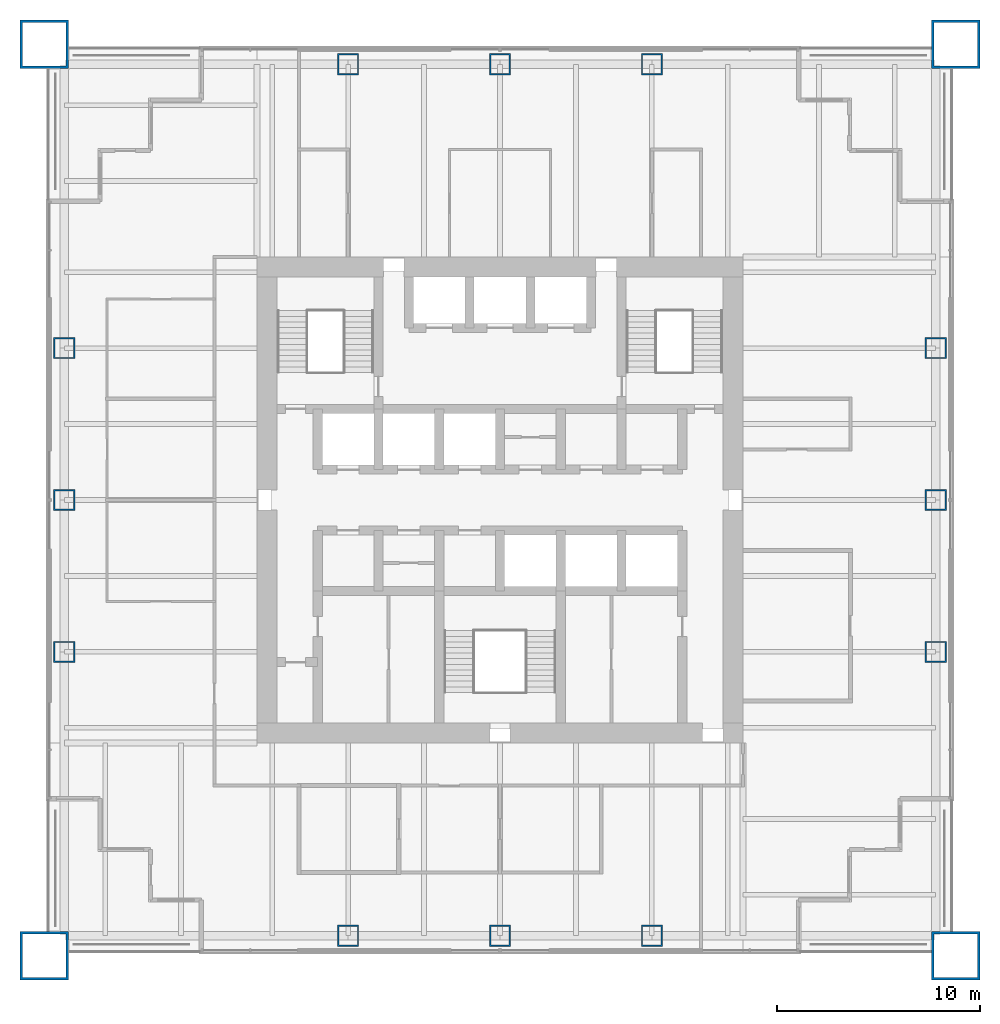
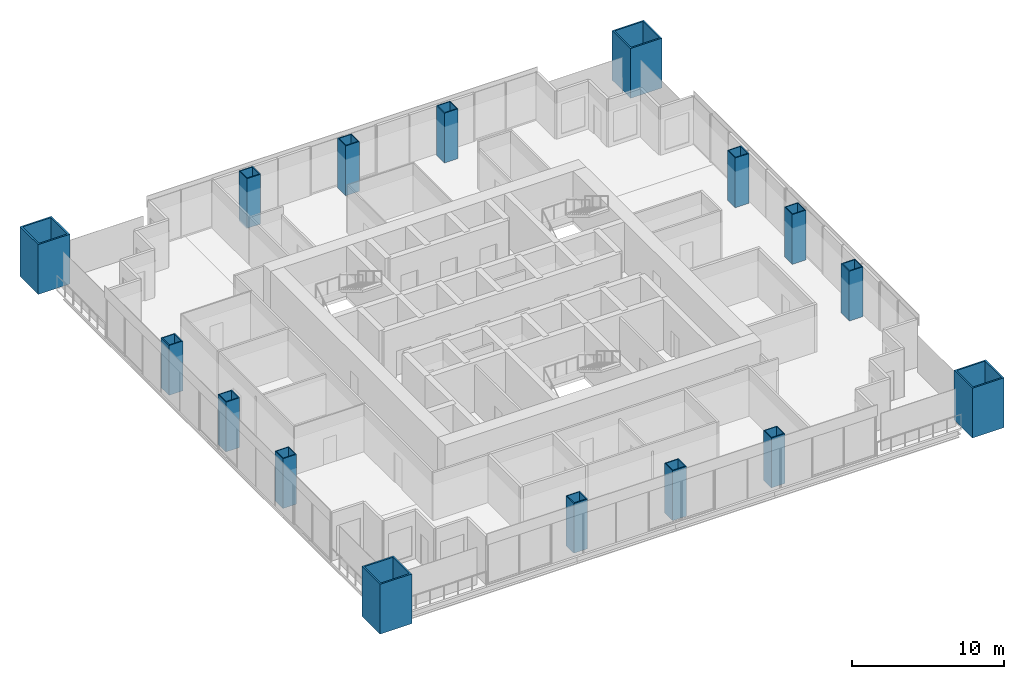
# One storey, part 1 of 13: 16 columns.
"""IFC4 building model written with IfcOpenShell, lengths in metres."""

from ifc_helpers import new_model, si_unit, direction, frame, origin, origin_2d, place, context, subcontext, project, spatial, hollow_rectangle, extrude, material, material_profile, profile_set, type_object, element, save


model = new_model("IFC4")

# Units and contexts
model_context = context("Model", 3, precision=1e-05, world=origin(), true_north=direction((0.0, 1.0)))
body_context = subcontext(model_context, "Body", "Model", "MODEL_VIEW")
ifc_project = project(units=[si_unit("LENGTHUNIT", "METRE"), si_unit("AREAUNIT", "SQUARE_METRE"), si_unit("VOLUMEUNIT", "CUBIC_METRE"), si_unit("PLANEANGLEUNIT", "RADIAN"), si_unit("MASSUNIT", "GRAM", prefix="KILO")], contexts=[model_context])

# Site, building, storey
site_placement = place(None, origin())
site = spatial("IfcSite", under=ifc_project, at=site_placement, CompositionType="ELEMENT")
building_placement = place(site_placement, origin())
building = spatial("IfcBuilding", under=site, at=building_placement, Name="Tarangal Relay Tower", CompositionType="ELEMENT")
storey_placement = place(building_placement, frame((0.0, 0.0, 237.89990234375)))
storey = spatial("IfcBuildingStorey", under=building, at=storey_placement, Name="L51", CompositionType="ELEMENT", Elevation=237.89990234375)

# Columns
ifc_material_1 = material(Name="Steel ASTM A572 Grade 42", Category="steel")
ifc_material_profile_1 = material_profile(ifc_material_1, hollow_rectangle(XDim=2.39990234375, YDim=2.39990234375, WallThickness=0.1201171875, at=origin_2d()), Name="BOX2400X2400X120")
ifc_profile_set_1 = profile_set([ifc_material_profile_1], Name="Steel ASTM A572 Grade 42")
column_type_1 = type_object("IfcColumnType", Name="Mega column BOX2400X2400X120", PredefinedType="COLUMN", material=ifc_profile_set_1)
for number, where, z_axis, x_axis, name in (
    (1, (22.5, 22.5, 0.0), (0.0, 0.0, 1.0), (1.0, 0.0, 0.0), "Mega column MC3 NE L51"),
    (2, (22.5, -22.5, 0.0), (0.0, 0.0, 1.0), (1.0, 0.0, 0.0), "Mega column MC3 SE L51"),
    (3, (-22.5, -22.5, 0.0), (0.0, 0.0, 1.0), (1.0, 0.0, 0.0), "Mega column MC3 SW L51"),
    (4, (-22.5, 22.5, 0.0), (0.0, 0.0, 1.0), (1.0, 0.0, 0.0), "Mega column MC3 NW L51"),
):
    element("IfcColumn", number, at=place(storey_placement, frame(where, z_axis=z_axis, x_axis=x_axis)), inside=storey, type_object=column_type_1, Name=name, PredefinedType="COLUMN", context=body_context, shape_type="SweptSolid", body=[
        extrude(hollow_rectangle(XDim=2.39990234375, YDim=2.39990234375, WallThickness=0.1201171875, at=origin_2d()), origin(), (0.0, 0.0, 1.0), 4.0),
    ])
ifc_material_2 = material(Name="Steel ASTM A572 Grade 50", Category="steel")
ifc_material_profile_2 = material_profile(ifc_material_2, hollow_rectangle(XDim=1.050048828125, YDim=1.050048828125, WallThickness=0.070068359375, at=origin_2d()), Name="BOX1050X1050X70")
ifc_profile_set_2 = profile_set([ifc_material_profile_2], Name="Steel ASTM A572 Grade 50")
column_type_2 = type_object("IfcColumnType", Name="Perimeter column BOX1050X1050X70", PredefinedType="COLUMN", material=ifc_profile_set_2)
for number, where, z_axis, x_axis, name in (
    (5, (-7.5, 21.514892578125, 0.0), (0.0, 0.0, 1.0), (1.0, 0.0, 0.0), "Perimeter column PC4 N L51"),
    (6, (0.0, 21.514892578125, 0.0), (0.0, 0.0, 1.0), (1.0, 0.0, 0.0), "Perimeter column PC4 N L51"),
    (7, (7.5, 21.514892578125, 0.0), (0.0, 0.0, 1.0), (1.0, 0.0, 0.0), "Perimeter column PC4 N L51"),
    (8, (21.514892578125, 7.5, 0.0), (0.0, 0.0, 1.0), (1.0, 0.0, 0.0), "Perimeter column PC4 E L51"),
    (9, (21.514892578125, 0.0, 0.0), (0.0, 0.0, 1.0), (1.0, 0.0, 0.0), "Perimeter column PC4 E L51"),
    (10, (21.514892578125, -7.5, 0.0), (0.0, 0.0, 1.0), (1.0, 0.0, 0.0), "Perimeter column PC4 E L51"),
    (11, (7.5, -21.514892578125, 0.0), (0.0, 0.0, 1.0), (1.0, 0.0, 0.0), "Perimeter column PC4 S L51"),
    (12, (0.0, -21.514892578125, 0.0), (0.0, 0.0, 1.0), (1.0, 0.0, 0.0), "Perimeter column PC4 S L51"),
    (13, (-7.5, -21.514892578125, 0.0), (0.0, 0.0, 1.0), (1.0, 0.0, 0.0), "Perimeter column PC4 S L51"),
    (14, (-21.514892578125, -7.5, 0.0), (0.0, 0.0, 1.0), (1.0, 0.0, 0.0), "Perimeter column PC4 W L51"),
    (15, (-21.514892578125, 0.0, 0.0), (0.0, 0.0, 1.0), (1.0, 0.0, 0.0), "Perimeter column PC4 W L51"),
    (16, (-21.514892578125, 7.5, 0.0), (0.0, 0.0, 1.0), (1.0, 0.0, 0.0), "Perimeter column PC4 W L51"),
):
    element("IfcColumn", number, at=place(storey_placement, frame(where, z_axis=z_axis, x_axis=x_axis)), inside=storey, type_object=column_type_2, Name=name, PredefinedType="COLUMN", context=body_context, shape_type="SweptSolid", body=[
        extrude(hollow_rectangle(XDim=1.050048828125, YDim=1.050048828125, WallThickness=0.070068359375, at=origin_2d()), origin(), (0.0, 0.0, 1.0), 4.0),
    ])

save(model, "model.ifc")
